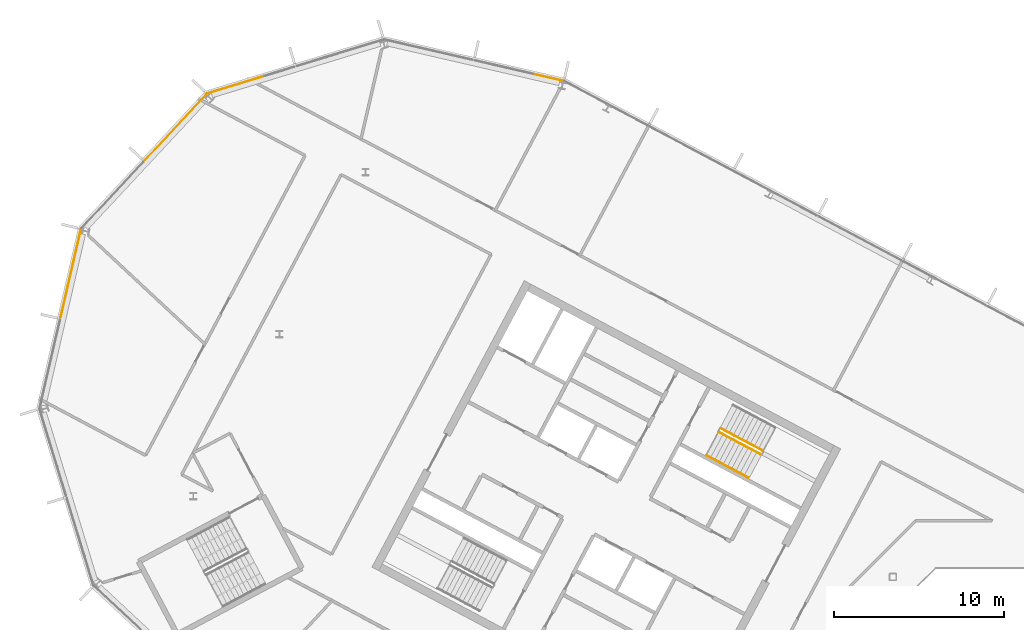
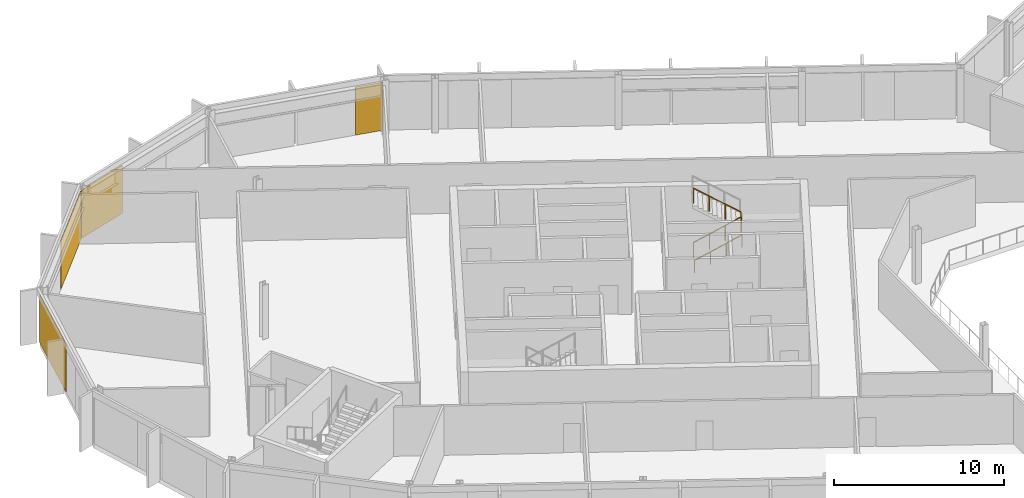
# One storey, part 21 of 25: 4 coverings, 3 railings, 4 elements without a shape of their own.
"""IFC4 building model written with IfcOpenShell, lengths in metres."""

from ifc_helpers import new_model, si_unit, direction, frame, origin, origin_2d, place, context, subcontext, project, spatial, polyline, rectangle, outline, extrude, material, layer, layer_set, type_object, element, aggregate, save


model = new_model("IFC4")

# Units and contexts
model_context = context("Model", 3, precision=1e-05, world=origin(), true_north=direction((0.0, 1.0)))
body_context = subcontext(model_context, "Body", "Model", "MODEL_VIEW")
ifc_project = project(units=[si_unit("LENGTHUNIT", "METRE"), si_unit("AREAUNIT", "SQUARE_METRE"), si_unit("VOLUMEUNIT", "CUBIC_METRE"), si_unit("PLANEANGLEUNIT", "RADIAN"), si_unit("MASSUNIT", "GRAM", prefix="KILO")], contexts=[model_context])

# Site, building, storey
site_placement = place(None, origin())
site = spatial("IfcSite", under=ifc_project, at=site_placement, CompositionType="ELEMENT")
building_placement = place(site_placement, origin())
building = spatial("IfcBuilding", under=site, at=building_placement, Name="Cormorant Relay Tower", CompositionType="ELEMENT")
storey_placement = place(building_placement, frame((0.0, 0.0, 297.0)))
storey = spatial("IfcBuildingStorey", under=building, at=storey_placement, Name="L67", CompositionType="ELEMENT", Elevation=297.0)

# Curtain wall, covering
ifc_material_1 = material(Name="Aluminium 6063-T6 anodised bronze", Category="aluminium")
ifc_layer_1 = layer(ifc_material_1, 0.199951171875)
ifc_layer_set_1 = layer_set([ifc_layer_1], Name="CW1 unitised bronze curtain wall with vertical fins")
curtain_wall_type = type_object("IfcCurtainWallType", Name="CW1 unitised bronze curtain wall with vertical fins", PredefinedType="NOTDEFINED", material=ifc_layer_set_1)
curtain_wall_1_placement = place(storey_placement, origin())
curtain_wall_1 = element("IfcCurtainWall", 1, at=curtain_wall_1_placement, inside=storey, type_object=curtain_wall_type, Name="CW1 curtain wall 10", PredefinedType="NOTDEFINED")
ifc_material_2 = material(Name="Pale bronze anodised aluminium insulated panel", Category="aluminium")
ifc_layer_2 = layer(ifc_material_2, 0.0400390625)
ifc_layer_set_2 = layer_set([ifc_layer_2], Name="CW1 pale bronze insulated panel 40")
covering_type = type_object("IfcCoveringType", Name="CW1 pale bronze insulated panel 40", PredefinedType="CLADDING", material=ifc_layer_set_2)
covering_1_placement = place(storey_placement, frame((-30.76318359375, 39.89404296875, 0.0), z_axis=(0.0, 0.0, 1.0), x_axis=(-0.974370064785, 0.224951054344, 0.0)))
covering_1 = element("IfcCovering", 2, at=covering_1_placement, type_object=covering_type, Name="CW1 panel S00", PredefinedType="CLADDING", context=body_context, shape_type="SweptSolid", body=[
    extrude(rectangle(XDim=1.685302734375, YDim=0.0400390625, at=origin_2d()), origin(), (0.0, 0.0, 1.0), 3.449951171875),
])
aggregate(curtain_wall_1, [covering_1])

curtain_wall_2_placement = place(storey_placement, origin())
curtain_wall_2 = element("IfcCurtainWall", 3, at=curtain_wall_2_placement, inside=storey, type_object=curtain_wall_type, Name="CW1 curtain wall 11", PredefinedType="NOTDEFINED")
covering_2_placement = place(storey_placement, frame((-49.16455078125, 39.474853515625, 0.0), z_axis=(0.0, 0.0, 1.0), x_axis=(-0.956304755963, -0.292371704723, 0.0)))
covering_2 = element("IfcCovering", 4, at=covering_2_placement, type_object=covering_type, Name="CW1 panel S03", PredefinedType="CLADDING", context=body_context, shape_type="SweptSolid", body=[
    extrude(rectangle(XDim=3.560302734375, YDim=0.0400390625, at=origin_2d()), origin(), (0.0, 0.0, 1.0), 3.449951171875),
])
aggregate(curtain_wall_2, [covering_2])

curtain_wall_3_placement = place(storey_placement, origin())
curtain_wall_3 = element("IfcCurtainWall", 5, at=curtain_wall_3_placement, inside=storey, type_object=curtain_wall_type, Name="CW1 curtain wall 12", PredefinedType="NOTDEFINED")
covering_3_placement = place(storey_placement, frame((-52.72900390625, 36.961181640625, 0.0), z_axis=(0.0, 0.0, 1.0), x_axis=(-0.681998360062, -0.731353701619, 0.0)))
covering_3 = element("IfcCovering", 6, at=covering_3_placement, type_object=covering_type, Name="CW1 panel S00", PredefinedType="CLADDING", context=body_context, shape_type="SweptSolid", body=[
    extrude(rectangle(XDim=5.28515625, YDim=0.0400390625, at=origin_2d()), origin(), (0.0, 0.0, 1.0), 3.449951171875),
])
aggregate(curtain_wall_3, [covering_3])

curtain_wall_4_placement = place(storey_placement, origin())
curtain_wall_4 = element("IfcCurtainWall", 7, at=curtain_wall_4_placement, inside=storey, type_object=curtain_wall_type, Name="CW1 curtain wall 13", PredefinedType="NOTDEFINED")
covering_4_placement = place(storey_placement, frame((-58.905517578125, 28.341796875, 0.0), z_axis=(0.0, 0.0, 1.0), x_axis=(-0.224951054344, -0.974370064785, 0.0)))
covering_4 = element("IfcCovering", 8, at=covering_4_placement, type_object=covering_type, Name="CW1 panel S00", PredefinedType="CLADDING", context=body_context, shape_type="SweptSolid", body=[
    extrude(rectangle(XDim=5.28515625, YDim=0.0400390625, at=origin_2d()), origin(), (0.0, 0.0, 1.0), 3.449951171875),
])
aggregate(curtain_wall_4, [covering_4])

# Railings
ifc_material_3 = material(Name="Steel ASTM A572 Grade 50 (Fy 345 MPa)", Category="steel")
railing_type_1 = type_object("IfcRailingType", Name="Stair guard 1100", PredefinedType="GUARDRAIL", material=ifc_material_3)
railing_1_placement = place(storey_placement, frame((-20.75048828125, 19.017822265625, 0.17724609375)))
element("IfcRailing", 9, at=railing_1_placement, inside=storey, type_object=railing_type_1, Name="L67 A1 stair guard 1", PredefinedType="GUARDRAIL", context=body_context, shape_type="SweptSolid", body=[
    extrude(outline(polyline([(0.022216796875, 0.00927734375), (0.00927734375, 0.022216796875), (-0.00927734375, 0.022216796875), (-0.022216796875, 0.00927734375), (-0.022216796875, -0.00927734375), (-0.00927734375, -0.022216796875), (0.00927734375, -0.022216796875), (0.022216796875, -0.00927734375), (0.022216796875, 0.00927734375)])), frame((0.0, 0.0, 1.076171875), z_axis=(0.746001213114, -0.396649272309, 0.534931345884), x_axis=(0.469465464807, 0.882950835185, 0.0)), (0.0, 0.0, 1.0), 3.31396484375),
    extrude(outline(polyline([(0.019287109375, 0.008056640625), (0.008056640625, 0.019287109375), (-0.008056640625, 0.019287109375), (-0.019287109375, 0.008056640625), (-0.019287109375, -0.008056640625), (-0.008056640625, -0.019287109375), (0.008056640625, -0.019287109375), (0.019287109375, -0.008056640625), (0.019287109375, 0.008056640625)])), origin(), (0.0, 0.0, 1.0), 1.052001953125),
    extrude(outline(polyline([(0.019287109375, 0.008056640625), (0.008056640625, 0.019287109375), (-0.008056640625, 0.019287109375), (-0.019287109375, 0.008056640625), (-0.019287109375, -0.008056640625), (-0.008056640625, -0.019287109375), (0.008056640625, -0.019287109375), (0.019287109375, -0.008056640625), (0.019287109375, 0.008056640625)])), frame((0.823974609375, -0.438232421875, 0.5908203125)), (0.0, 0.0, 1.0), 1.052001953125),
    extrude(outline(polyline([(0.019287109375, 0.008056640625), (0.008056640625, 0.019287109375), (-0.008056640625, 0.019287109375), (-0.019287109375, 0.008056640625), (-0.019287109375, -0.008056640625), (-0.008056640625, -0.019287109375), (0.008056640625, -0.019287109375), (0.019287109375, -0.008056640625), (0.019287109375, 0.008056640625)])), frame((1.648193359375, -0.876220703125, 1.181884765625)), (0.0, 0.0, 1.0), 1.052001953125),
    extrude(outline(polyline([(0.019287109375, 0.008056640625), (0.008056640625, 0.019287109375), (-0.008056640625, 0.019287109375), (-0.019287109375, 0.008056640625), (-0.019287109375, -0.008056640625), (-0.008056640625, -0.019287109375), (0.008056640625, -0.019287109375), (0.019287109375, -0.008056640625), (0.019287109375, 0.008056640625)])), frame((2.47216796875, -1.314453125, 1.772705078125)), (0.0, 0.0, 1.0), 1.052001953125),
])
railing_2_placement = place(storey_placement, frame((-18.160888671875, 17.924072265625, 2.127197265625)))
element("IfcRailing", 10, at=railing_2_placement, inside=storey, type_object=railing_type_1, Name="L67 A1 stair guard 3", PredefinedType="GUARDRAIL", context=body_context, shape_type="SweptSolid", body=[
    extrude(outline(polyline([(0.022216796875, 0.00927734375), (0.00927734375, 0.022216796875), (-0.00927734375, 0.022216796875), (-0.022216796875, 0.00927734375), (-0.022216796875, -0.00927734375), (-0.00927734375, -0.022216796875), (0.00927734375, -0.022216796875), (0.022216796875, -0.00927734375), (0.022216796875, 0.00927734375)])), frame((0.0, 0.0, 1.076171875), z_axis=(-0.746033882577, 0.396627473466, 0.534901947407), x_axis=(-0.469429322983, -0.882970050864, 0.0)), (0.0, 0.0, 1.0), 3.31396484375),
    extrude(outline(polyline([(0.019287109375, 0.008056640625), (0.008056640625, 0.019287109375), (-0.008056640625, 0.019287109375), (-0.019287109375, 0.008056640625), (-0.019287109375, -0.008056640625), (-0.008056640625, -0.019287109375), (0.008056640625, -0.019287109375), (0.019287109375, -0.008056640625), (0.019287109375, 0.008056640625)])), origin(), (0.0, 0.0, 1.0), 1.052001953125),
    extrude(outline(polyline([(0.019287109375, 0.008056640625), (0.008056640625, 0.019287109375), (-0.008056640625, 0.019287109375), (-0.019287109375, 0.008056640625), (-0.019287109375, -0.008056640625), (-0.008056640625, -0.019287109375), (0.008056640625, -0.019287109375), (0.019287109375, -0.008056640625), (0.019287109375, 0.008056640625)])), frame((-0.82421875, 0.438232421875, 0.5908203125)), (0.0, 0.0, 1.0), 1.052001953125),
    extrude(outline(polyline([(0.019287109375, 0.008056640625), (0.008056640625, 0.019287109375), (-0.008056640625, 0.019287109375), (-0.019287109375, 0.008056640625), (-0.019287109375, -0.008056640625), (-0.008056640625, -0.019287109375), (0.008056640625, -0.019287109375), (0.019287109375, -0.008056640625), (0.019287109375, 0.008056640625)])), frame((-1.648193359375, 0.876220703125, 1.181884765625)), (0.0, 0.0, 1.0), 1.052001953125),
    extrude(outline(polyline([(0.019287109375, 0.008056640625), (0.008056640625, 0.019287109375), (-0.008056640625, 0.019287109375), (-0.019287109375, 0.008056640625), (-0.019287109375, -0.008056640625), (-0.008056640625, -0.019287109375), (0.008056640625, -0.019287109375), (0.019287109375, -0.008056640625), (0.019287109375, 0.008056640625)])), frame((-2.472412109375, 1.314453125, 1.772705078125)), (0.0, 0.0, 1.0), 1.052001953125),
])
ifc_material_4 = material(Name="Steel ASTM A572 Grade 50 (Fy 345 MPa)", Category="steel")
railing_type_2 = type_object("IfcRailingType", Name="Stair handrail 900", PredefinedType="HANDRAIL", material=ifc_material_4)
railing_3_placement = place(storey_placement, frame((-21.478271484375, 17.6494140625, 0.17724609375)))
element("IfcRailing", 11, at=railing_3_placement, inside=storey, type_object=railing_type_2, Name="L67 A1 stair handrail 1", PredefinedType="HANDRAIL", context=body_context, shape_type="SweptSolid", body=[
    extrude(outline(polyline([(0.022216796875, 0.00927734375), (0.00927734375, 0.022216796875), (-0.00927734375, 0.022216796875), (-0.022216796875, 0.00927734375), (-0.022216796875, -0.00927734375), (-0.00927734375, -0.022216796875), (0.00927734375, -0.022216796875), (0.022216796875, -0.00927734375), (0.022216796875, 0.00927734375)])), frame((0.0, 0.0, 0.8759765625), z_axis=(0.746012083385, -0.396689549623, 0.534886317514), x_axis=(0.469497295046, 0.882933910293, 0.0)), (0.0, 0.0, 1.0), 3.314208984375),
    extrude(outline(polyline([(0.019287109375, 0.008056640625), (0.008056640625, 0.019287109375), (-0.008056640625, 0.019287109375), (-0.019287109375, 0.008056640625), (-0.019287109375, -0.008056640625), (-0.008056640625, -0.019287109375), (0.008056640625, -0.019287109375), (0.019287109375, -0.008056640625), (0.019287109375, 0.008056640625)])), origin(), (0.0, 0.0, 1.0), 0.851806640625),
    extrude(outline(polyline([(0.019287109375, 0.008056640625), (0.008056640625, 0.019287109375), (-0.008056640625, 0.019287109375), (-0.019287109375, 0.008056640625), (-0.019287109375, -0.008056640625), (-0.008056640625, -0.019287109375), (0.008056640625, -0.019287109375), (0.019287109375, -0.008056640625), (0.019287109375, 0.008056640625)])), frame((0.82421875, -0.438232421875, 0.5908203125)), (0.0, 0.0, 1.0), 0.851806640625),
    extrude(outline(polyline([(0.019287109375, 0.008056640625), (0.008056640625, 0.019287109375), (-0.008056640625, 0.019287109375), (-0.019287109375, 0.008056640625), (-0.019287109375, -0.008056640625), (-0.008056640625, -0.019287109375), (0.008056640625, -0.019287109375), (0.019287109375, -0.008056640625), (0.019287109375, 0.008056640625)])), frame((1.648193359375, -0.87646484375, 1.181884765625)), (0.0, 0.0, 1.0), 0.851806640625),
    extrude(outline(polyline([(0.019287109375, 0.008056640625), (0.008056640625, 0.019287109375), (-0.008056640625, 0.019287109375), (-0.019287109375, 0.008056640625), (-0.019287109375, -0.008056640625), (-0.008056640625, -0.019287109375), (0.008056640625, -0.019287109375), (0.019287109375, -0.008056640625), (0.019287109375, 0.008056640625)])), frame((2.472412109375, -1.314697265625, 1.772705078125)), (0.0, 0.0, 1.0), 0.851806640625),
])

save(model, "model.ifc")
